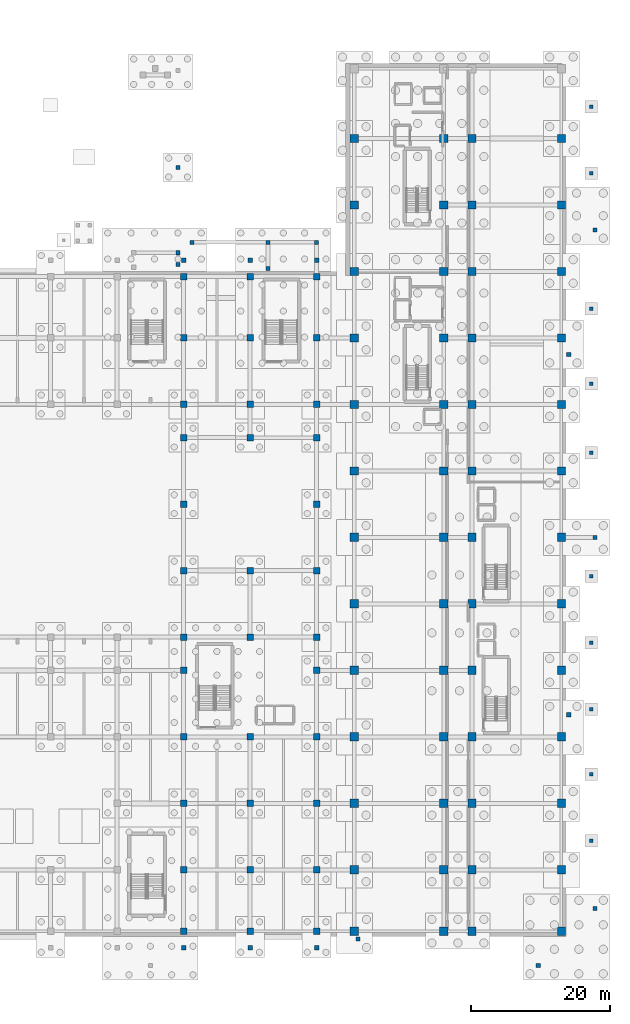
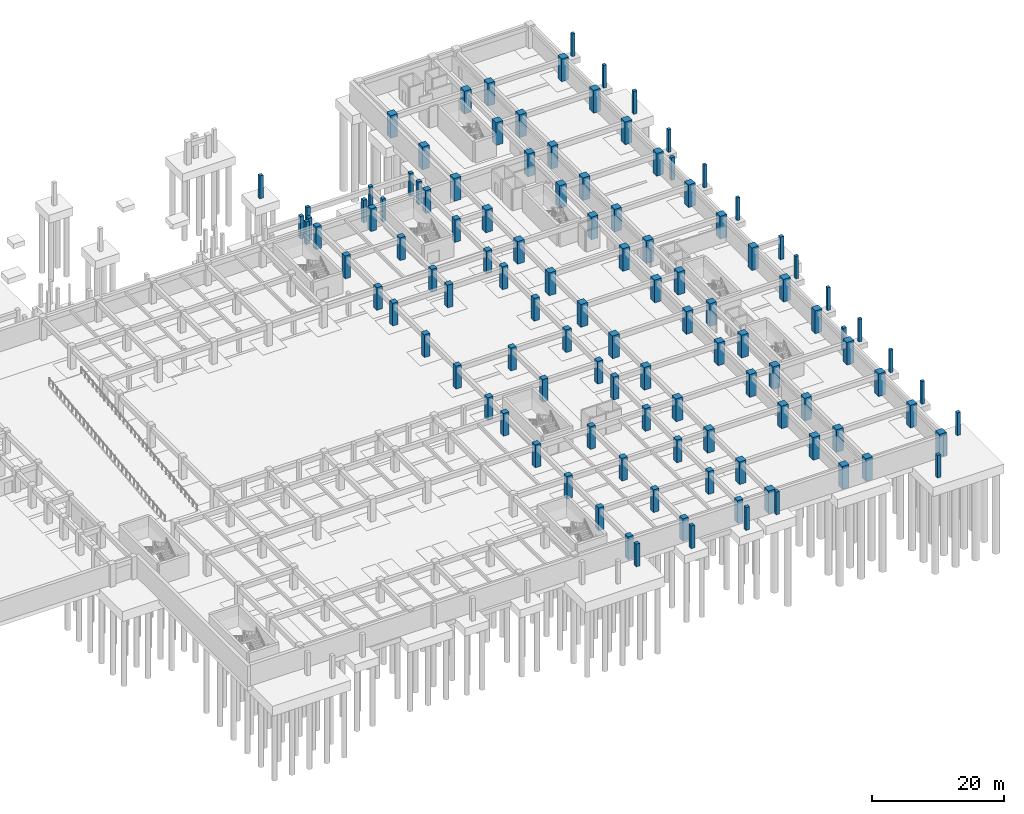
# One storey, part 9 of 39: 116 columns.
"""IFC4 building model written with IfcOpenShell, lengths in metres."""

import ifcopenshell
import ifcopenshell.guid

model = None  # the IFC model being written
_history = None  # IfcOwnerHistory: only IFC2X3 demands one
_inside = {}  # id of a spatial element -> (the spatial element, [elements in it])
_under = {}  # id of a project, library or spatial element -> (it, [spatial elements below it])
_declared = {}  # id of a project -> (the project, [libraries it declares])
_typed = {}  # id of a type object -> (the type object, [elements of that type])
_made_of = {}  # id of a material, layer set ... -> (it, [elements and type objects made of it])


def new_model(schema):
    """Start an empty IFC model of exactly this schema.

    Asked for "IFC4X3", IfcOpenShell would pick the latest addendum, in which some entities
    have other attributes; the version numbers below select the first issue.
    IFC2X3 requires an IfcOwnerHistory on every rooted entity: one is made here for all.
    """
    global model, _history
    if schema == "IFC4X3":
        model = ifcopenshell.file(schema_version=(4, 3, 0, 0))
    else:
        model = ifcopenshell.file(schema=schema)
    _inside.clear()
    _under.clear()
    _declared.clear()
    _typed.clear()
    _made_of.clear()
    _history = None
    if model.schema == "IFC2X3":
        org = make("IfcOrganization", Name="unknown")
        user = make(
            "IfcPersonAndOrganization",
            ThePerson=make("IfcPerson", FamilyName="unknown"),
            TheOrganization=org,
        )
        app = make(
            "IfcApplication",
            ApplicationDeveloper=org,
            Version="unknown",
            ApplicationFullName="unknown",
            ApplicationIdentifier="unknown",
        )
        _history = make(
            "IfcOwnerHistory",
            OwningUser=user,
            OwningApplication=app,
            ChangeAction="ADDED",
            CreationDate=0,
        )
    return model


def make(cls, **values):
    """One entity of the class cls with the attributes given. An attribute that is None is left unset."""
    return model.create_entity(
        cls, **{name: value for name, value in values.items() if value is not None}
    )


def rooted(cls, **values):
    """An entity with a GlobalId (a new one), such as an element, a storey or a relation."""
    return make(cls, GlobalId=ifcopenshell.guid.new(), OwnerHistory=_history, **values)


def si_unit(unit_type, name, prefix=None):
    """IfcSIUnit, for example si_unit("LENGTHUNIT", "METRE", prefix="MILLI")."""
    return make("IfcSIUnit", UnitType=unit_type, Prefix=prefix, Name=name)


def assignment(units):
    """IfcUnitAssignment: the units of a project."""
    return None if units is None else make("IfcUnitAssignment", Units=units)


def point(xyz):
    """IfcCartesianPoint."""
    return None if xyz is None else make("IfcCartesianPoint", Coordinates=xyz)


def direction(xyz):
    """IfcDirection."""
    return None if xyz is None else make("IfcDirection", DirectionRatios=xyz)


def frame(location, z_axis=None, x_axis=None):
    """IfcAxis2Placement3D, a coordinate frame: its origin and axes. An axis left out is left unset."""
    return make(
        "IfcAxis2Placement3D",
        Location=point(location),
        Axis=direction(z_axis),
        RefDirection=direction(x_axis),
    )


def frame_2d(location, x_axis=None):
    """IfcAxis2Placement2D, a coordinate frame in the plane: its origin and x axis."""
    return make(
        "IfcAxis2Placement2D", Location=point(location), RefDirection=direction(x_axis)
    )


def origin():
    """The frame at (0, 0, 0) with its axes left unset."""
    return frame((0.0, 0.0, 0.0))


def origin_2d():
    """The frame at (0, 0) in the plane with its x axis left unset."""
    return frame_2d((0.0, 0.0))


def place(relative_to, where):
    """IfcLocalPlacement: puts the frame where relative to a parent placement (None: the world)."""
    return make(
        "IfcLocalPlacement", PlacementRelTo=relative_to, RelativePlacement=where
    )


def context(
    kind, dimensions, precision=None, world=None, true_north=None, identifier=None
):
    """IfcGeometricRepresentationContext, for example the 3D "Model" context."""
    return make(
        "IfcGeometricRepresentationContext",
        ContextIdentifier=identifier,
        ContextType=kind,
        CoordinateSpaceDimension=dimensions,
        Precision=precision,
        WorldCoordinateSystem=world,
        TrueNorth=true_north,
    )


def subcontext(parent, identifier, kind, view, scale=None):
    """IfcGeometricRepresentationSubContext, for example "Body" below "Model"."""
    return make(
        "IfcGeometricRepresentationSubContext",
        ContextIdentifier=identifier,
        ContextType=kind,
        ParentContext=parent,
        TargetScale=scale,
        TargetView=view,
    )


def project(units=None, contexts=None):
    """IfcProject with its units and contexts."""
    return rooted(
        "IfcProject",
        Name="project",
        RepresentationContexts=contexts,
        UnitsInContext=assignment(units),
    )


def spatial(cls, under=None, at=None, **own):
    """A site, building, storey or space (cls), placed at a placement, below another one or the project."""
    s = rooted(cls, ObjectPlacement=at, **own)
    if under is not None:
        _under.setdefault(under.id(), (under, []))[1].append(s)
    return s


def profile(cls, at=None, kind="AREA", **sizes):
    """A parametric profile (cls). Its sizes go by their IFC names, for example OverallWidth=200.0."""
    return make(cls, ProfileType=kind, Position=at, **sizes)


def rectangle(**sizes):
    """IfcRectangleProfileDef."""
    return profile("IfcRectangleProfileDef", **sizes)


def extrude(swept, where, along, depth):
    """IfcExtrudedAreaSolid: the profile swept, set in the frame where, extruded along a direction by depth."""
    return make(
        "IfcExtrudedAreaSolid",
        SweptArea=swept,
        Position=where,
        ExtrudedDirection=direction(along),
        Depth=depth,
    )


def shape(context_of_items, identifier, shape_type, items):
    """IfcShapeRepresentation: the items that make up one representation, for example the "Body"."""
    return make(
        "IfcShapeRepresentation",
        ContextOfItems=context_of_items,
        RepresentationIdentifier=identifier,
        RepresentationType=shape_type,
        Items=items,
    )


def material(Name=None, Category=None):
    """IfcMaterial."""
    return make("IfcMaterial", Name=Name, Category=Category)


def material_profile(
    of_material, cross_section, Name=None, Category=None, Priority=None
):
    """IfcMaterialProfile: a cross section and its material."""
    return make(
        "IfcMaterialProfile",
        Name=Name,
        Material=of_material,
        Profile=cross_section,
        Priority=Priority,
        Category=Category,
    )


def profile_set(profiles, Name=None, composite=None):
    """IfcMaterialProfileSet."""
    return make(
        "IfcMaterialProfileSet",
        Name=Name,
        MaterialProfiles=profiles,
        CompositeProfile=composite,
    )


def made_of(thing, what):
    """Note that an element or type object is made of a material, layer set ...; save() writes the relation."""
    if what is not None:
        _made_of.setdefault(what.id(), (what, []))[1].append(thing)
    return thing


def type_object(cls, material=None, **own):
    """A type object (cls), such as IfcWallType, which elements share."""
    return made_of(rooted(cls, **own), material)


def element(
    cls,
    number,
    at=None,
    inside=None,
    cuts=None,
    type_object=None,
    material=None,
    context=None,
    identifier="Body",
    shape_type=None,
    held_by="IfcProductDefinitionShape",
    body=None,
    shapes=None,
    **own,
):
    """One element of the class cls, such as IfcWall. Its Tag is "e" and its number.

    at: its placement. inside: the storey or other place that contains it. cuts: it is an
    opening in that element (IfcRelVoidsElement). A single representation is given by context,
    identifier, shape_type and body (its items); several are given by shapes. held_by: the class
    of the entity that holds the representations. save() writes the other relations.
    """
    e = rooted(cls, Tag="e%d" % number, ObjectPlacement=at, **own)
    if body is not None:
        shapes = [shape(context, identifier, shape_type, body)]
    if shapes is not None:
        e.Representation = make(held_by, Representations=shapes)
    if inside is not None:
        _inside.setdefault(inside.id(), (inside, []))[1].append(e)
    if cuts is not None:
        rooted(
            "IfcRelVoidsElement", RelatingBuildingElement=cuts, RelatedOpeningElement=e
        )
    if type_object is not None:
        _typed.setdefault(type_object.id(), (type_object, []))[1].append(e)
    return made_of(e, material)


def aggregate(whole, parts):
    """IfcRelAggregates: a whole, such as a stair, and the parts it consists of."""
    return rooted("IfcRelAggregates", RelatingObject=whole, RelatedObjects=parts)


def save(model, path):
    """Write the relations noted so far, then the file.

    IfcRelAggregates (storeys below a building ...), IfcRelContainedInSpatialStructure (elements
    in a storey), IfcRelDefinesByType, IfcRelAssociatesMaterial and IfcRelDeclares: one each for
    every whole, place, type object, material and project.
    """
    for whole, parts in _under.values():
        aggregate(whole, parts)
    for where, things in _inside.values():
        rooted(
            "IfcRelContainedInSpatialStructure",
            RelatedElements=things,
            RelatingStructure=where,
        )
    for kind, things in _typed.values():
        rooted("IfcRelDefinesByType", RelatedObjects=things, RelatingType=kind)
    for what, things in _made_of.values():
        rooted("IfcRelAssociatesMaterial", RelatedObjects=things, RelatingMaterial=what)
    for by, libraries in _declared.values():
        rooted("IfcRelDeclares", RelatingContext=by, RelatedDefinitions=libraries)
    model.write(path)


model = new_model("IFC4")

# Units and contexts
model_context = context("Model", 3, precision=1e-05, world=origin(), true_north=direction((0.0, 1.0)))
body_context = subcontext(model_context, "Body", "Model", "MODEL_VIEW")
ifc_project = project(units=[si_unit("LENGTHUNIT", "METRE"), si_unit("AREAUNIT", "SQUARE_METRE"), si_unit("VOLUMEUNIT", "CUBIC_METRE"), si_unit("PLANEANGLEUNIT", "RADIAN"), si_unit("MASSUNIT", "GRAM", prefix="KILO")], contexts=[model_context])

# Site, building, storey
site_placement = place(None, origin())
site = spatial("IfcSite", under=ifc_project, at=site_placement, CompositionType="ELEMENT")
building_placement = place(site_placement, origin())
building = spatial("IfcBuilding", under=site, at=building_placement, Name="Nakhvara Creek Congress Hotel", CompositionType="ELEMENT")
storey_placement = place(building_placement, frame((0.0, 0.0, -8.39990234375)))
storey = spatial("IfcBuildingStorey", under=building, at=storey_placement, Name="B2", CompositionType="ELEMENT", Elevation=-8.39990234375)

# Columns
ifc_material = material(Name="Concrete C50/60", Category="concrete")
ifc_material_profile_1 = material_profile(ifc_material, rectangle(XDim=1.199951171875, YDim=1.199951171875, at=origin_2d()), Name="RC-COL 1200x1200", Category="LoadBearing")
ifc_profile_set_1 = profile_set([ifc_material_profile_1], Name="Concrete C50/60")
column_type_1 = type_object("IfcColumnType", Name="COL-RC-1200", PredefinedType="COLUMN", material=ifc_profile_set_1)
for number, where, z_axis, x_axis, name in (
    (1, (149.449951171875, 0.75, 0.0), (0.0, 0.0, 1.0), (1.0, 0.0, 0.0), "Column C15-B2-0191"),
    (2, (149.449951171875, 9.60009765625, 0.0), (0.0, 0.0, 1.0), (1.0, 0.0, 0.0), "Column C15-B2-0192"),
    (3, (149.449951171875, 19.199951171875, 0.0), (0.0, 0.0, 1.0), (1.0, 0.0, 0.0), "Column C15-B2-0193"),
    (4, (149.449951171875, 28.800048828125, 0.0), (0.0, 0.0, 1.0), (1.0, 0.0, 0.0), "Column C15-B2-0194"),
    (5, (149.449951171875, 38.39990234375, 0.0), (0.0, 0.0, 1.0), (1.0, 0.0, 0.0), "Column C15-B2-0195"),
    (6, (149.449951171875, 48.0, 0.0), (0.0, 0.0, 1.0), (1.0, 0.0, 0.0), "Column C15-B2-0196"),
    (7, (149.449951171875, 57.60009765625, 0.0), (0.0, 0.0, 1.0), (1.0, 0.0, 0.0), "Column C15-B2-0197"),
    (8, (149.449951171875, 67.199951171875, 0.0), (0.0, 0.0, 1.0), (1.0, 0.0, 0.0), "Column C15-B2-0198"),
    (9, (149.449951171875, 76.800048828125, 0.0), (0.0, 0.0, 1.0), (1.0, 0.0, 0.0), "Column C15-B2-0199"),
    (10, (149.449951171875, 86.39990234375, 0.0), (0.0, 0.0, 1.0), (1.0, 0.0, 0.0), "Column C15-B2-0200"),
    (11, (149.449951171875, 96.0, 0.0), (0.0, 0.0, 1.0), (1.0, 0.0, 0.0), "Column C15-B2-0201"),
    (12, (149.449951171875, 105.60009765625, 0.0), (0.0, 0.0, 1.0), (1.0, 0.0, 0.0), "Column C15-B2-0202"),
    (13, (149.449951171875, 115.199951171875, 0.0), (0.0, 0.0, 1.0), (1.0, 0.0, 0.0), "Column C15-B2-0203"),
    (14, (162.35009765625, 0.75, 0.0), (0.0, 0.0, 1.0), (1.0, 0.0, 0.0), "Column C15-B2-0205"),
    (15, (162.35009765625, 9.60009765625, 0.0), (0.0, 0.0, 1.0), (1.0, 0.0, 0.0), "Column C15-B2-0206"),
    (16, (162.35009765625, 19.199951171875, 0.0), (0.0, 0.0, 1.0), (1.0, 0.0, 0.0), "Column C15-B2-0207"),
    (17, (162.35009765625, 28.800048828125, 0.0), (0.0, 0.0, 1.0), (1.0, 0.0, 0.0), "Column C15-B2-0208"),
    (18, (162.35009765625, 38.39990234375, 0.0), (0.0, 0.0, 1.0), (1.0, 0.0, 0.0), "Column C15-B2-0209"),
    (19, (162.35009765625, 48.0, 0.0), (0.0, 0.0, 1.0), (1.0, 0.0, 0.0), "Column C15-B2-0210"),
    (20, (162.35009765625, 57.60009765625, 0.0), (0.0, 0.0, 1.0), (1.0, 0.0, 0.0), "Column C15-B2-0211"),
    (21, (162.35009765625, 67.199951171875, 0.0), (0.0, 0.0, 1.0), (1.0, 0.0, 0.0), "Column C15-B2-0212"),
    (22, (162.35009765625, 76.800048828125, 0.0), (0.0, 0.0, 1.0), (1.0, 0.0, 0.0), "Column C15-B2-0213"),
    (23, (162.35009765625, 86.39990234375, 0.0), (0.0, 0.0, 1.0), (1.0, 0.0, 0.0), "Column C15-B2-0214"),
    (24, (162.35009765625, 96.0, 0.0), (0.0, 0.0, 1.0), (1.0, 0.0, 0.0), "Column C15-B2-0215"),
    (25, (162.35009765625, 105.60009765625, 0.0), (0.0, 0.0, 1.0), (1.0, 0.0, 0.0), "Column C15-B2-0216"),
    (26, (162.35009765625, 115.199951171875, 0.0), (0.0, 0.0, 1.0), (1.0, 0.0, 0.0), "Column C15-B2-0217"),
    (27, (166.449951171875, 0.75, 0.0), (0.0, 0.0, 1.0), (1.0, 0.0, 0.0), "Column C15-B2-0219"),
    (28, (166.449951171875, 9.60009765625, 0.0), (0.0, 0.0, 1.0), (1.0, 0.0, 0.0), "Column C15-B2-0220"),
    (29, (166.449951171875, 19.199951171875, 0.0), (0.0, 0.0, 1.0), (1.0, 0.0, 0.0), "Column C15-B2-0221"),
    (30, (166.449951171875, 28.800048828125, 0.0), (0.0, 0.0, 1.0), (1.0, 0.0, 0.0), "Column C15-B2-0222"),
    (31, (166.449951171875, 38.39990234375, 0.0), (0.0, 0.0, 1.0), (1.0, 0.0, 0.0), "Column C15-B2-0223"),
    (32, (166.449951171875, 48.0, 0.0), (0.0, 0.0, 1.0), (1.0, 0.0, 0.0), "Column C15-B2-0224"),
    (33, (166.449951171875, 57.60009765625, 0.0), (0.0, 0.0, 1.0), (1.0, 0.0, 0.0), "Column C15-B2-0225"),
    (34, (166.449951171875, 67.199951171875, 0.0), (0.0, 0.0, 1.0), (1.0, 0.0, 0.0), "Column C15-B2-0226"),
    (35, (166.449951171875, 76.800048828125, 0.0), (0.0, 0.0, 1.0), (1.0, 0.0, 0.0), "Column C15-B2-0227"),
    (36, (166.449951171875, 86.39990234375, 0.0), (0.0, 0.0, 1.0), (1.0, 0.0, 0.0), "Column C15-B2-0228"),
    (37, (166.449951171875, 96.0, 0.0), (0.0, 0.0, 1.0), (1.0, 0.0, 0.0), "Column C15-B2-0229"),
    (38, (166.449951171875, 105.60009765625, 0.0), (0.0, 0.0, 1.0), (1.0, 0.0, 0.0), "Column C15-B2-0230"),
    (39, (166.449951171875, 115.199951171875, 0.0), (0.0, 0.0, 1.0), (1.0, 0.0, 0.0), "Column C15-B2-0231"),
    (40, (179.35009765625, 0.75, 0.0), (0.0, 0.0, 1.0), (1.0, 0.0, 0.0), "Column C15-B2-0233"),
    (41, (179.35009765625, 9.60009765625, 0.0), (0.0, 0.0, 1.0), (1.0, 0.0, 0.0), "Column C15-B2-0234"),
    (42, (179.35009765625, 19.199951171875, 0.0), (0.0, 0.0, 1.0), (1.0, 0.0, 0.0), "Column C15-B2-0235"),
    (43, (179.35009765625, 28.800048828125, 0.0), (0.0, 0.0, 1.0), (1.0, 0.0, 0.0), "Column C15-B2-0236"),
    (44, (179.35009765625, 38.39990234375, 0.0), (0.0, 0.0, 1.0), (1.0, 0.0, 0.0), "Column C15-B2-0237"),
    (45, (179.35009765625, 48.0, 0.0), (0.0, 0.0, 1.0), (1.0, 0.0, 0.0), "Column C15-B2-0238"),
    (46, (179.35009765625, 57.60009765625, 0.0), (0.0, 0.0, 1.0), (1.0, 0.0, 0.0), "Column C15-B2-0239"),
    (47, (179.35009765625, 67.199951171875, 0.0), (0.0, 0.0, 1.0), (1.0, 0.0, 0.0), "Column C15-B2-0240"),
    (48, (179.35009765625, 76.800048828125, 0.0), (0.0, 0.0, 1.0), (1.0, 0.0, 0.0), "Column C15-B2-0241"),
    (49, (179.35009765625, 86.39990234375, 0.0), (0.0, 0.0, 1.0), (1.0, 0.0, 0.0), "Column C15-B2-0242"),
    (50, (179.35009765625, 96.0, 0.0), (0.0, 0.0, 1.0), (1.0, 0.0, 0.0), "Column C15-B2-0243"),
    (51, (179.35009765625, 105.60009765625, 0.0), (0.0, 0.0, 1.0), (1.0, 0.0, 0.0), "Column C15-B2-0244"),
    (52, (179.35009765625, 115.199951171875, 0.0), (0.0, 0.0, 1.0), (1.0, 0.0, 0.0), "Column C15-B2-0245"),
):
    element("IfcColumn", number, at=place(storey_placement, frame(where, z_axis=z_axis, x_axis=x_axis)), inside=storey, type_object=column_type_1, Name=name, PredefinedType="COLUMN", context=body_context, shape_type="SweptSolid", body=[
        extrude(rectangle(XDim=1.199951171875, YDim=1.199951171875, at=origin_2d()), origin(), (0.0, 0.0, 1.0), 4.199951171875),
    ])
ifc_material_profile_2 = material_profile(ifc_material, rectangle(XDim=0.5, YDim=0.5, at=origin_2d()), Name="RC-COL 500x500", Category="LoadBearing")
ifc_profile_set_2 = profile_set([ifc_material_profile_2], Name="Concrete C50/60")
column_type_2 = type_object("IfcColumnType", Name="COL-RC-500", PredefinedType="COLUMN", material=ifc_profile_set_2)
for number, where, z_axis, x_axis, name in (
    (53, (183.64990234375, 13.800048828125, 0.0), (0.0, 0.0, 1.0), (1.0, 0.0, 0.0), "East Boulevard Apron Sub-Pier B2-01"),
    (54, (183.64990234375, 23.39990234375, 0.0), (0.0, 0.0, 1.0), (1.0, 0.0, 0.0), "East Boulevard Apron Sub-Pier B2-02"),
    (55, (183.64990234375, 32.800048828125, 0.0), (0.0, 0.0, 1.0), (1.0, 0.0, 0.0), "East Boulevard Apron Sub-Pier B2-03"),
    (56, (183.64990234375, 42.39990234375, 0.0), (0.0, 0.0, 1.0), (1.0, 0.0, 0.0), "East Boulevard Apron Sub-Pier B2-04"),
    (57, (183.64990234375, 52.0, 0.0), (0.0, 0.0, 1.0), (1.0, 0.0, 0.0), "East Boulevard Apron Sub-Pier B2-05"),
    (58, (183.64990234375, 69.800048828125, 0.0), (0.0, 0.0, 1.0), (1.0, 0.0, 0.0), "East Boulevard Apron Sub-Pier B2-06"),
    (59, (183.64990234375, 79.800048828125, 0.0), (0.0, 0.0, 1.0), (1.0, 0.0, 0.0), "East Boulevard Apron Sub-Pier B2-07"),
    (60, (183.64990234375, 90.60009765625, 0.0), (0.0, 0.0, 1.0), (1.0, 0.0, 0.0), "East Boulevard Apron Sub-Pier B2-08"),
    (61, (183.64990234375, 110.199951171875, 0.0), (0.0, 0.0, 1.0), (1.0, 0.0, 0.0), "East Boulevard Apron Sub-Pier B2-09"),
    (62, (183.64990234375, 119.800048828125, 0.0), (0.0, 0.0, 1.0), (1.0, 0.0, 0.0), "East Boulevard Apron Sub-Pier B2-10"),
):
    element("IfcColumn", number, at=place(storey_placement, frame(where, z_axis=z_axis, x_axis=x_axis)), inside=storey, type_object=column_type_2, Name=name, PredefinedType="COLUMN", context=body_context, shape_type="SweptSolid", body=[
        extrude(rectangle(XDim=0.5, YDim=0.5, at=origin_2d()), origin(), (0.0, 0.0, 1.0), 4.199951171875),
    ])
ifc_material_profile_3 = material_profile(ifc_material, rectangle(XDim=0.60009765625, YDim=0.60009765625, at=origin_2d()), Name="RC-COL 600x600", Category="LoadBearing")
ifc_profile_set_3 = profile_set([ifc_material_profile_3], Name="Concrete C50/60")
column_type_3 = type_object("IfcColumnType", Name="COL-RC-600", PredefinedType="COLUMN", material=ifc_profile_set_3)
for number, where, z_axis, x_axis, name in (
    (63, (124.0, 97.0, 0.0), (0.0, 0.0, 1.0), (1.0, 0.0, 0.0), "Column C08-B2-0253"),
    (64, (124.0, 111.0, 0.0), (0.0, 0.0, 1.0), (1.0, 0.0, 0.0), "Column C08-B2-0254"),
    (65, (124.0, 98.699951171875, 0.0), (0.0, 0.0, 1.0), (1.0, 0.0, 0.0), "Column C08-B2-0260"),
    (66, (126.0, 100.199951171875, 0.0), (0.0, 0.0, 1.0), (1.0, 0.0, 0.0), "Column C08-B2-0280"),
    (67, (137.0, 100.199951171875, 0.0), (0.0, 0.0, 1.0), (1.0, 0.0, 0.0), "Column C08-B2-0281"),
    (68, (144.0, 100.199951171875, 0.0), (0.0, 0.0, 1.0), (1.0, 0.0, 0.0), "Column C08-B2-0282"),
    (69, (137.0, 96.39990234375, 0.0), (0.0, 0.0, 1.0), (1.0, 0.0, 0.0), "Column C08-B2-0283"),
    (70, (184.199951171875, 4.0, 0.0), (0.0, 0.0, 1.0), (1.0, 0.0, 0.0), "Column C08-B2-0284"),
    (71, (184.199951171875, 57.60009765625, 0.0), (0.0, 0.0, 1.0), (1.0, 0.0, 0.0), "Column C08-B2-0285"),
    (72, (184.199951171875, 102.0, 0.0), (0.0, 0.0, 1.0), (1.0, 0.0, 0.0), "Column C08-B2-0286"),
    (73, (180.39990234375, 32.0, 0.0), (0.0, 0.0, 1.0), (1.0, 0.0, 0.0), "Column C08-B2-0287"),
    (74, (180.39990234375, 84.0, 0.0), (0.0, 0.0, 1.0), (1.0, 0.0, 0.0), "Column C08-B2-0288"),
    (75, (176.0, -4.199951171875, 0.0), (0.0, 0.0, 1.0), (1.0, 0.0, 0.0), "Column C08-B2-0291"),
    (76, (150.0, -0.39990234375, 0.0), (0.0, 0.0, 1.0), (1.0, 0.0, 0.0), "Column C08-B2-0293"),
):
    element("IfcColumn", number, at=place(storey_placement, frame(where, z_axis=z_axis, x_axis=x_axis)), inside=storey, type_object=column_type_3, Name=name, PredefinedType="COLUMN", context=body_context, shape_type="SweptSolid", body=[
        extrude(rectangle(XDim=0.60009765625, YDim=0.60009765625, at=origin_2d()), origin(), (0.0, 0.0, 1.0), 4.199951171875),
    ])
ifc_material_profile_4 = material_profile(ifc_material, rectangle(XDim=0.64990234375, YDim=0.64990234375, at=origin_2d()), Name="RC-COL 650x650", Category="LoadBearing")
ifc_profile_set_4 = profile_set([ifc_material_profile_4], Name="Concrete C50/60")
column_type_4 = type_object("IfcColumnType", Name="COL-RC-650", PredefinedType="COLUMN", material=ifc_profile_set_4)
for number, where, z_axis, x_axis, name in (
    (77, (124.800048828125, 97.64990234375, 0.0), (0.0, 0.0, 1.0), (1.0, 0.0, 0.0), "Column C07-B2-0178"),
    (78, (134.39990234375, 97.64990234375, 0.0), (0.0, 0.0, 1.0), (1.0, 0.0, 0.0), "Column C07-B2-0179"),
    (79, (144.0, 97.64990234375, 0.0), (0.0, 0.0, 1.0), (1.0, 0.0, 0.0), "Column C07-B2-0180"),
    (80, (124.800048828125, -1.64990234375, 0.0), (0.0, 0.0, 1.0), (1.0, 0.0, 0.0), "Column C07-B2-0185"),
    (81, (134.39990234375, -1.64990234375, 0.0), (0.0, 0.0, 1.0), (1.0, 0.0, 0.0), "Column C07-B2-0186"),
    (82, (144.0, -1.64990234375, 0.0), (0.0, 0.0, 1.0), (1.0, 0.0, 0.0), "Column C07-B2-0190"),
):
    element("IfcColumn", number, at=place(storey_placement, frame(where, z_axis=z_axis, x_axis=x_axis)), inside=storey, type_object=column_type_4, Name=name, PredefinedType="COLUMN", context=body_context, shape_type="SweptSolid", body=[
        extrude(rectangle(XDim=0.64990234375, YDim=0.64990234375, at=origin_2d()), origin(), (0.0, 0.0, 1.0), 4.199951171875),
    ])
ifc_material_profile_5 = material_profile(ifc_material, rectangle(XDim=0.949951171875, YDim=0.949951171875, at=origin_2d()), Name="RC-COL 950x950", Category="LoadBearing")
ifc_profile_set_5 = profile_set([ifc_material_profile_5], Name="Concrete C50/60")
column_type_5 = type_object("IfcColumnType", Name="COL-RC-950", PredefinedType="COLUMN", material=ifc_profile_set_5)
for number, where, z_axis, x_axis, name in (
    (83, (124.800048828125, 0.75, 0.0), (0.0, 0.0, 1.0), (1.0, 0.0, 0.0), "Column C17-B2-0141"),
    (84, (124.800048828125, 9.60009765625, 0.0), (0.0, 0.0, 1.0), (1.0, 0.0, 0.0), "Column C17-B2-0142"),
    (85, (124.800048828125, 19.199951171875, 0.0), (0.0, 0.0, 1.0), (1.0, 0.0, 0.0), "Column C17-B2-0143"),
    (86, (124.800048828125, 28.800048828125, 0.0), (0.0, 0.0, 1.0), (1.0, 0.0, 0.0), "Column C17-B2-0144"),
    (87, (124.800048828125, 38.39990234375, 0.0), (0.0, 0.0, 1.0), (1.0, 0.0, 0.0), "Column C17-B2-0145"),
    (88, (124.800048828125, 43.199951171875, 0.0), (0.0, 0.0, 1.0), (1.0, 0.0, 0.0), "Column C17-B2-0146"),
    (89, (124.800048828125, 52.800048828125, 0.0), (0.0, 0.0, 1.0), (1.0, 0.0, 0.0), "Column C17-B2-0147"),
    (90, (124.800048828125, 62.39990234375, 0.0), (0.0, 0.0, 1.0), (1.0, 0.0, 0.0), "Column C17-B2-0148"),
    (91, (124.800048828125, 72.0, 0.0), (0.0, 0.0, 1.0), (1.0, 0.0, 0.0), "Column C17-B2-0149"),
    (92, (124.800048828125, 76.800048828125, 0.0), (0.0, 0.0, 1.0), (1.0, 0.0, 0.0), "Column C17-B2-0150"),
    (93, (124.800048828125, 86.39990234375, 0.0), (0.0, 0.0, 1.0), (1.0, 0.0, 0.0), "Column C17-B2-0151"),
    (94, (124.800048828125, 95.25, 0.0), (0.0, 0.0, 1.0), (1.0, 0.0, 0.0), "Column C17-B2-0152"),
    (95, (134.39990234375, 0.75, 0.0), (0.0, 0.0, 1.0), (1.0, 0.0, 0.0), "Column C17-B2-0153"),
    (96, (134.39990234375, 9.60009765625, 0.0), (0.0, 0.0, 1.0), (1.0, 0.0, 0.0), "Column C17-B2-0154"),
    (97, (134.39990234375, 19.199951171875, 0.0), (0.0, 0.0, 1.0), (1.0, 0.0, 0.0), "Column C17-B2-0155"),
    (98, (134.39990234375, 28.800048828125, 0.0), (0.0, 0.0, 1.0), (1.0, 0.0, 0.0), "Column C17-B2-0156"),
    (99, (134.39990234375, 43.199951171875, 0.0), (0.0, 0.0, 1.0), (1.0, 0.0, 0.0), "Column C17-B2-0157"),
    (100, (134.39990234375, 52.800048828125, 0.0), (0.0, 0.0, 1.0), (1.0, 0.0, 0.0), "Column C17-B2-0158"),
    (101, (134.39990234375, 72.0, 0.0), (0.0, 0.0, 1.0), (1.0, 0.0, 0.0), "Column C17-B2-0159"),
    (102, (134.39990234375, 76.800048828125, 0.0), (0.0, 0.0, 1.0), (1.0, 0.0, 0.0), "Column C17-B2-0160"),
    (103, (134.39990234375, 86.39990234375, 0.0), (0.0, 0.0, 1.0), (1.0, 0.0, 0.0), "Column C17-B2-0161"),
    (104, (134.39990234375, 95.25, 0.0), (0.0, 0.0, 1.0), (1.0, 0.0, 0.0), "Column C17-B2-0162"),
    (105, (144.0, 0.75, 0.0), (0.0, 0.0, 1.0), (1.0, 0.0, 0.0), "Column C17-B2-0163"),
    (106, (144.0, 9.60009765625, 0.0), (0.0, 0.0, 1.0), (1.0, 0.0, 0.0), "Column C17-B2-0164"),
    (107, (144.0, 19.199951171875, 0.0), (0.0, 0.0, 1.0), (1.0, 0.0, 0.0), "Column C17-B2-0165"),
    (108, (144.0, 28.800048828125, 0.0), (0.0, 0.0, 1.0), (1.0, 0.0, 0.0), "Column C17-B2-0166"),
    (109, (144.0, 38.39990234375, 0.0), (0.0, 0.0, 1.0), (1.0, 0.0, 0.0), "Column C17-B2-0167"),
    (110, (144.0, 43.199951171875, 0.0), (0.0, 0.0, 1.0), (1.0, 0.0, 0.0), "Column C17-B2-0168"),
    (111, (144.0, 52.800048828125, 0.0), (0.0, 0.0, 1.0), (1.0, 0.0, 0.0), "Column C17-B2-0169"),
    (112, (144.0, 62.39990234375, 0.0), (0.0, 0.0, 1.0), (1.0, 0.0, 0.0), "Column C17-B2-0170"),
    (113, (144.0, 72.0, 0.0), (0.0, 0.0, 1.0), (1.0, 0.0, 0.0), "Column C17-B2-0171"),
    (114, (144.0, 76.800048828125, 0.0), (0.0, 0.0, 1.0), (1.0, 0.0, 0.0), "Column C17-B2-0172"),
    (115, (144.0, 86.39990234375, 0.0), (0.0, 0.0, 1.0), (1.0, 0.0, 0.0), "Column C17-B2-0173"),
    (116, (144.0, 95.25, 0.0), (0.0, 0.0, 1.0), (1.0, 0.0, 0.0), "Column C17-B2-0174"),
):
    element("IfcColumn", number, at=place(storey_placement, frame(where, z_axis=z_axis, x_axis=x_axis)), inside=storey, type_object=column_type_5, Name=name, PredefinedType="COLUMN", context=body_context, shape_type="SweptSolid", body=[
        extrude(rectangle(XDim=0.949951171875, YDim=0.949951171875, at=origin_2d()), origin(), (0.0, 0.0, 1.0), 4.199951171875),
    ])

save(model, "model.ifc")
